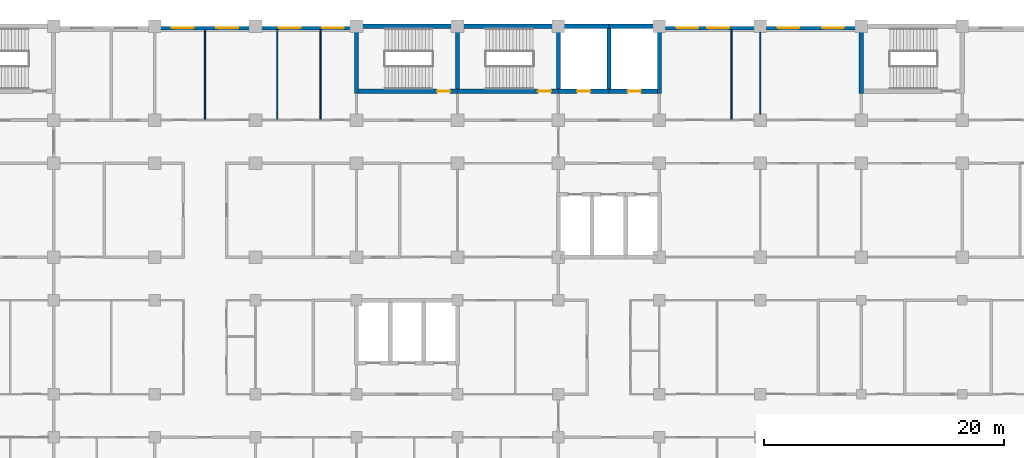
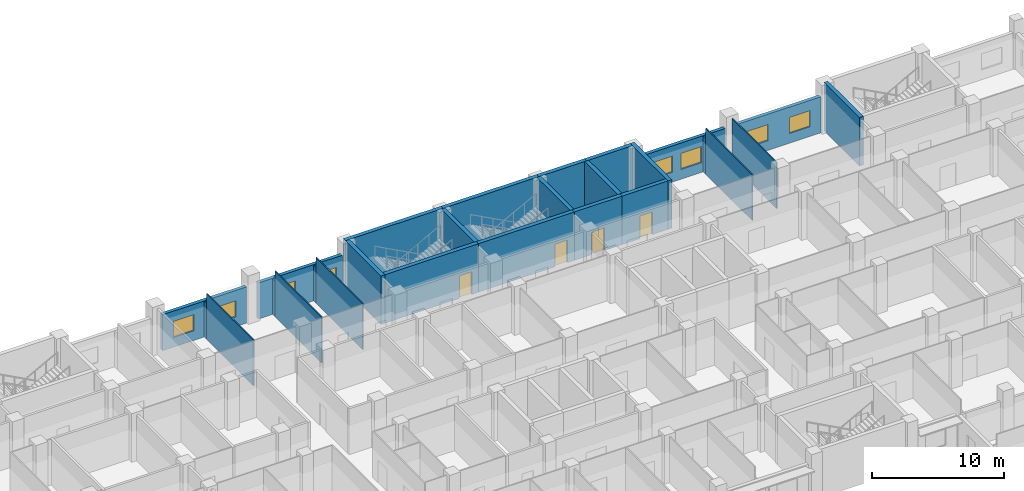
# One storey, part 91 of 136: 27 walls, 8 windows, 4 doors, 12 openings.
"""IFC4 building model written with IfcOpenShell, lengths in metres."""

from ifc_helpers import new_model, si_unit, direction, frame, frame_2d, origin, place, context, subcontext, project, spatial, rectangle, extrude, material, layer, layer_set, type_object, element, fill, save


model = new_model("IFC4")

# Units and contexts
model_context = context("Model", 3, precision=1e-05, world=origin(), true_north=direction((0.0, 1.0)))
body_context = subcontext(model_context, "Body", "Model", "MODEL_VIEW")
ifc_project = project(units=[si_unit("LENGTHUNIT", "METRE"), si_unit("AREAUNIT", "SQUARE_METRE"), si_unit("VOLUMEUNIT", "CUBIC_METRE"), si_unit("PLANEANGLEUNIT", "RADIAN"), si_unit("MASSUNIT", "GRAM", prefix="KILO")], contexts=[model_context])

# Site, building, storey
site_placement = place(None, origin())
site = spatial("IfcSite", under=ifc_project, at=site_placement, CompositionType="ELEMENT")
building_placement = place(site_placement, origin())
building = spatial("IfcBuilding", under=site, at=building_placement, Name="Bougainvillea Quay General Hospital", CompositionType="ELEMENT")
storey_placement = place(building_placement, frame((0.0, 0.0, 5.39990234375)))
storey = spatial("IfcBuildingStorey", under=building, at=storey_placement, Name="L01", CompositionType="ELEMENT", Elevation=5.39990234375)

# Wall, openings, windows
ifc_material_1 = material(Name="Pale stone rainscreen cladding on insulated masonry backing, pale stone", Category="masonry")
ifc_layer_1 = layer(ifc_material_1, 0.300048828125)
ifc_layer_set_1 = layer_set([ifc_layer_1], Name="Pale stone rainscreen cladding on insulated masonry backing, pale stone")
wall_type_1 = type_object("IfcWallType", Name="External wall pale stone rainscreen 300", PredefinedType="STANDARD", material=ifc_layer_set_1)
wall_1_placement = place(storey_placement, frame((175.89990234375, 159.449951171875, 0.0), z_axis=(0.0, 0.0, 1.0), x_axis=(-1.0, 0.0, 0.0)))
wall_1 = element("IfcWall", 1, at=wall_1_placement, inside=storey, type_object=wall_type_1, Name="External wall wall/V4/L01/p0/01b", PredefinedType="STANDARD", context=body_context, shape_type="SweptSolid", body=[
    extrude(rectangle(XDim=7.39990234375, YDim=0.300048828125, at=frame_2d((3.699951171875, 0.0))), origin(), (0.0, 0.0, 1.0), 3.35009765625),
])
opening_1_placement = place(wall_1_placement, frame((0.949951171875, 0.0, 0.89990234375)))
opening_1 = element("IfcOpeningElement", 2, at=opening_1_placement, cuts=wall_1, Name="Opening W1", PredefinedType="OPENING", context=body_context, shape_type="SweptSolid", body=[
    extrude(rectangle(XDim=1.800048828125, YDim=1.5, at=frame_2d((0.89990234375, 0.75))), frame((0.0, 0.159912109375, 0.0), z_axis=(0.0, -1.0, 0.0), x_axis=(1.0, 0.0, 0.0)), (0.0, 0.0, 1.0), 0.320068359375),
])
opening_2_placement = place(wall_1_placement, frame((4.64990234375, 0.0, 0.89990234375)))
opening_2 = element("IfcOpeningElement", 3, at=opening_2_placement, cuts=wall_1, Name="Opening W1", PredefinedType="OPENING", context=body_context, shape_type="SweptSolid", body=[
    extrude(rectangle(XDim=1.800048828125, YDim=1.5, at=frame_2d((0.89990234375, 0.75))), frame((0.0, 0.159912109375, 0.0), z_axis=(0.0, -1.0, 0.0), x_axis=(1.0, 0.0, 0.0)), (0.0, 0.0, 1.0), 0.320068359375),
])
ifc_material_2 = material(Name="Aluminium window frame with low-e double glazed unit", Category="aluminium")
window_type = type_object("IfcWindowType", Name="Window W1 1800x1500", PartitioningType="DOUBLE_PANEL_VERTICAL", PredefinedType="WINDOW", material=ifc_material_2)
window_1_placement = place(opening_1_placement, origin())
window_1 = element("IfcWindow", 4, at=window_1_placement, inside=storey, type_object=window_type, Name="Window W1 1", OverallHeight=1.5, OverallWidth=1.800048828125, PartitioningType="SINGLE_PANEL", PredefinedType="WINDOW", context=body_context, shape_type="SweptSolid", body=[
    extrude(rectangle(XDim=1.800048828125, YDim=1.5, at=frame_2d((0.89990234375, 0.75))), frame((0.0, 0.030029296875, 0.0), z_axis=(0.0, -1.0, 0.0), x_axis=(1.0, 0.0, 0.0)), (0.0, 0.0, 1.0), 0.06005859375),
])
fill(opening_1, window_1)
window_2_placement = place(opening_2_placement, origin())
window_2 = element("IfcWindow", 5, at=window_2_placement, inside=storey, type_object=window_type, Name="Window W1 2", OverallHeight=1.5, OverallWidth=1.800048828125, PartitioningType="SINGLE_PANEL", PredefinedType="WINDOW", context=body_context, shape_type="SweptSolid", body=[
    extrude(rectangle(XDim=1.800048828125, YDim=1.5, at=frame_2d((0.89990234375, 0.75))), frame((0.0, 0.030029296875, 0.0), z_axis=(0.0, -1.0, 0.0), x_axis=(1.0, 0.0, 0.0)), (0.0, 0.0, 1.0), 0.06005859375),
])
fill(opening_2, window_2)

wall_2_placement = place(storey_placement, frame((167.5, 159.449951171875, 0.0), z_axis=(0.0, 0.0, 1.0), x_axis=(-1.0, 0.0, 0.0)))
wall_2 = element("IfcWall", 6, at=wall_2_placement, inside=storey, type_object=wall_type_1, Name="External wall wall/V4/L01/p0/01c", PredefinedType="STANDARD", context=body_context, shape_type="SweptSolid", body=[
    extrude(rectangle(XDim=7.39990234375, YDim=0.300048828125, at=frame_2d((3.699951171875, 0.0))), origin(), (0.0, 0.0, 1.0), 3.35009765625),
])
opening_3_placement = place(wall_2_placement, frame((2.10009765625, 0.0, 0.89990234375)))
opening_3 = element("IfcOpeningElement", 7, at=opening_3_placement, cuts=wall_2, Name="Opening W1", PredefinedType="OPENING", context=body_context, shape_type="SweptSolid", body=[
    extrude(rectangle(XDim=1.800048828125, YDim=1.5, at=frame_2d((0.89990234375, 0.75))), frame((0.0, 0.159912109375, 0.0), z_axis=(0.0, -1.0, 0.0), x_axis=(1.0, 0.0, 0.0)), (0.0, 0.0, 1.0), 0.320068359375),
])
opening_4_placement = place(wall_2_placement, frame((4.64990234375, 0.0, 0.89990234375)))
opening_4 = element("IfcOpeningElement", 8, at=opening_4_placement, cuts=wall_2, Name="Opening W1", PredefinedType="OPENING", context=body_context, shape_type="SweptSolid", body=[
    extrude(rectangle(XDim=1.800048828125, YDim=1.5, at=frame_2d((0.89990234375, 0.75))), frame((0.0, 0.159912109375, 0.0), z_axis=(0.0, -1.0, 0.0), x_axis=(1.0, 0.0, 0.0)), (0.0, 0.0, 1.0), 0.320068359375),
])
window_3_placement = place(opening_3_placement, origin())
window_3 = element("IfcWindow", 9, at=window_3_placement, inside=storey, type_object=window_type, Name="Window W1 1", OverallHeight=1.5, OverallWidth=1.800048828125, PartitioningType="SINGLE_PANEL", PredefinedType="WINDOW", context=body_context, shape_type="SweptSolid", body=[
    extrude(rectangle(XDim=1.800048828125, YDim=1.5, at=frame_2d((0.89990234375, 0.75))), frame((0.0, 0.030029296875, 0.0), z_axis=(0.0, -1.0, 0.0), x_axis=(1.0, 0.0, 0.0)), (0.0, 0.0, 1.0), 0.06005859375),
])
fill(opening_3, window_3)
window_4_placement = place(opening_4_placement, origin())
window_4 = element("IfcWindow", 10, at=window_4_placement, inside=storey, type_object=window_type, Name="Window W1 2", OverallHeight=1.5, OverallWidth=1.800048828125, PartitioningType="SINGLE_PANEL", PredefinedType="WINDOW", context=body_context, shape_type="SweptSolid", body=[
    extrude(rectangle(XDim=1.800048828125, YDim=1.5, at=frame_2d((0.89990234375, 0.75))), frame((0.0, 0.030029296875, 0.0), z_axis=(0.0, -1.0, 0.0), x_axis=(1.0, 0.0, 0.0)), (0.0, 0.0, 1.0), 0.06005859375),
])
fill(opening_4, window_4)

wall_3_placement = place(storey_placement, frame((133.89990234375, 159.449951171875, 0.0), z_axis=(0.0, 0.0, 1.0), x_axis=(-1.0, 0.0, 0.0)))
wall_3 = element("IfcWall", 11, at=wall_3_placement, inside=storey, type_object=wall_type_1, Name="External wall wall/V4/L01/p0/05a", PredefinedType="STANDARD", context=body_context, shape_type="SweptSolid", body=[
    extrude(rectangle(XDim=7.39990234375, YDim=0.300048828125, at=frame_2d((3.699951171875, 0.0))), origin(), (0.0, 0.0, 1.0), 3.35009765625),
])
opening_5_placement = place(wall_3_placement, frame((0.550048828125, 0.0, 0.89990234375)))
opening_5 = element("IfcOpeningElement", 12, at=opening_5_placement, cuts=wall_3, Name="Opening W1", PredefinedType="OPENING", context=body_context, shape_type="SweptSolid", body=[
    extrude(rectangle(XDim=1.800048828125, YDim=1.5, at=frame_2d((0.89990234375, 0.75))), frame((0.0, 0.159912109375, 0.0), z_axis=(0.0, -1.0, 0.0), x_axis=(1.0, 0.0, 0.0)), (0.0, 0.0, 1.0), 0.320068359375),
])
opening_6_placement = place(wall_3_placement, frame((4.14990234375, 0.0, 0.89990234375)))
opening_6 = element("IfcOpeningElement", 13, at=opening_6_placement, cuts=wall_3, Name="Opening W1", PredefinedType="OPENING", context=body_context, shape_type="SweptSolid", body=[
    extrude(rectangle(XDim=1.800048828125, YDim=1.5, at=frame_2d((0.89990234375, 0.75))), frame((0.0, 0.159912109375, 0.0), z_axis=(0.0, -1.0, 0.0), x_axis=(1.0, 0.0, 0.0)), (0.0, 0.0, 1.0), 0.320068359375),
])
window_5_placement = place(opening_5_placement, origin())
window_5 = element("IfcWindow", 14, at=window_5_placement, inside=storey, type_object=window_type, Name="Window W1 1", OverallHeight=1.5, OverallWidth=1.800048828125, PartitioningType="SINGLE_PANEL", PredefinedType="WINDOW", context=body_context, shape_type="SweptSolid", body=[
    extrude(rectangle(XDim=1.800048828125, YDim=1.5, at=frame_2d((0.89990234375, 0.75))), frame((0.0, 0.030029296875, 0.0), z_axis=(0.0, -1.0, 0.0), x_axis=(1.0, 0.0, 0.0)), (0.0, 0.0, 1.0), 0.06005859375),
])
fill(opening_5, window_5)
window_6_placement = place(opening_6_placement, origin())
window_6 = element("IfcWindow", 15, at=window_6_placement, inside=storey, type_object=window_type, Name="Window W1 2", OverallHeight=1.5, OverallWidth=1.800048828125, PartitioningType="SINGLE_PANEL", PredefinedType="WINDOW", context=body_context, shape_type="SweptSolid", body=[
    extrude(rectangle(XDim=1.800048828125, YDim=1.5, at=frame_2d((0.89990234375, 0.75))), frame((0.0, 0.030029296875, 0.0), z_axis=(0.0, -1.0, 0.0), x_axis=(1.0, 0.0, 0.0)), (0.0, 0.0, 1.0), 0.06005859375),
])
fill(opening_6, window_6)

wall_4_placement = place(storey_placement, frame((125.5, 159.449951171875, 0.0), z_axis=(0.0, 0.0, 1.0), x_axis=(-1.0, 0.0, 0.0)))
wall_4 = element("IfcWall", 16, at=wall_4_placement, inside=storey, type_object=wall_type_1, Name="External wall wall/V4/L01/p0/05b", PredefinedType="STANDARD", context=body_context, shape_type="SweptSolid", body=[
    extrude(rectangle(XDim=7.39990234375, YDim=0.300048828125, at=frame_2d((3.699951171875, 0.0))), origin(), (0.0, 0.0, 1.0), 3.35009765625),
])
opening_7_placement = place(wall_4_placement, frame((0.949951171875, 0.0, 0.89990234375)))
opening_7 = element("IfcOpeningElement", 17, at=opening_7_placement, cuts=wall_4, Name="Opening W1", PredefinedType="OPENING", context=body_context, shape_type="SweptSolid", body=[
    extrude(rectangle(XDim=1.800048828125, YDim=1.5, at=frame_2d((0.89990234375, 0.75))), frame((0.0, 0.159912109375, 0.0), z_axis=(0.0, -1.0, 0.0), x_axis=(1.0, 0.0, 0.0)), (0.0, 0.0, 1.0), 0.320068359375),
])
opening_8_placement = place(wall_4_placement, frame((4.64990234375, 0.0, 0.89990234375)))
opening_8 = element("IfcOpeningElement", 18, at=opening_8_placement, cuts=wall_4, Name="Opening W1", PredefinedType="OPENING", context=body_context, shape_type="SweptSolid", body=[
    extrude(rectangle(XDim=1.800048828125, YDim=1.5, at=frame_2d((0.89990234375, 0.75))), frame((0.0, 0.159912109375, 0.0), z_axis=(0.0, -1.0, 0.0), x_axis=(1.0, 0.0, 0.0)), (0.0, 0.0, 1.0), 0.320068359375),
])
window_7_placement = place(opening_7_placement, origin())
window_7 = element("IfcWindow", 19, at=window_7_placement, inside=storey, type_object=window_type, Name="Window W1 1", OverallHeight=1.5, OverallWidth=1.800048828125, PartitioningType="SINGLE_PANEL", PredefinedType="WINDOW", context=body_context, shape_type="SweptSolid", body=[
    extrude(rectangle(XDim=1.800048828125, YDim=1.5, at=frame_2d((0.89990234375, 0.75))), frame((0.0, 0.030029296875, 0.0), z_axis=(0.0, -1.0, 0.0), x_axis=(1.0, 0.0, 0.0)), (0.0, 0.0, 1.0), 0.06005859375),
])
fill(opening_7, window_7)
window_8_placement = place(opening_8_placement, origin())
window_8 = element("IfcWindow", 20, at=window_8_placement, inside=storey, type_object=window_type, Name="Window W1 2", OverallHeight=1.5, OverallWidth=1.800048828125, PartitioningType="SINGLE_PANEL", PredefinedType="WINDOW", context=body_context, shape_type="SweptSolid", body=[
    extrude(rectangle(XDim=1.800048828125, YDim=1.5, at=frame_2d((0.89990234375, 0.75))), frame((0.0, 0.030029296875, 0.0), z_axis=(0.0, -1.0, 0.0), x_axis=(1.0, 0.0, 0.0)), (0.0, 0.0, 1.0), 0.06005859375),
])
fill(opening_8, window_8)

# Walls
ifc_material_3 = material(Name="Gypsum board partition on steel studs", Category="steel")
ifc_layer_2 = layer(ifc_material_3, 0.10009765625)
ifc_layer_set_2 = layer_set([ifc_layer_2], Name="Gypsum board partition on steel studs")
wall_type_2 = type_object("IfcWallType", Name="Partition 100 Gypsum board partition", PredefinedType="PARTITIONING", material=ifc_layer_set_2)
wall_5_placement = place(storey_placement, frame((121.800048828125, 151.85009765625, 0.0), z_axis=(0.0, 0.0, 1.0), x_axis=(0.0, 1.0, 0.0)))
element("IfcWall", 21, at=wall_5_placement, inside=storey, type_object=wall_type_2, Name="Partition 100 mm", PredefinedType="PARTITIONING", context=body_context, shape_type="SweptSolid", body=[
    extrude(rectangle(XDim=7.099853515625, YDim=0.10009765625, at=frame_2d((3.5498046875, 0.0))), origin(), (0.0, 0.0, 1.0), 4.25),
])
wall_6_placement = place(storey_placement, frame((121.800048828125, 158.949951171875, 0.0), z_axis=(0.0, 0.0, 1.0), x_axis=(0.0, 1.0, 0.0)))
element("IfcWall", 22, at=wall_6_placement, inside=storey, type_object=wall_type_2, Name="Partition 100 mm", PredefinedType="PARTITIONING", context=body_context, shape_type="SweptSolid", body=[
    extrude(rectangle(XDim=0.35009765625, YDim=0.10009765625, at=frame_2d((0.175048828125, 0.0))), origin(), (0.0, 0.0, 1.0), 3.330078125),
])
wall_7_placement = place(storey_placement, frame((127.800048828125, 151.85009765625, 0.0), z_axis=(0.0, 0.0, 1.0), x_axis=(0.0, 1.0, 0.0)))
element("IfcWall", 23, at=wall_7_placement, inside=storey, type_object=wall_type_2, Name="Partition 100 mm", PredefinedType="PARTITIONING", context=body_context, shape_type="SweptSolid", body=[
    extrude(rectangle(XDim=7.099853515625, YDim=0.10009765625, at=frame_2d((3.5498046875, 0.0))), origin(), (0.0, 0.0, 1.0), 4.25),
])
wall_8_placement = place(storey_placement, frame((127.800048828125, 158.949951171875, 0.0), z_axis=(0.0, 0.0, 1.0), x_axis=(0.0, 1.0, 0.0)))
element("IfcWall", 24, at=wall_8_placement, inside=storey, type_object=wall_type_2, Name="Partition 100 mm", PredefinedType="PARTITIONING", context=body_context, shape_type="SweptSolid", body=[
    extrude(rectangle(XDim=0.35009765625, YDim=0.10009765625, at=frame_2d((0.175048828125, 0.0))), origin(), (0.0, 0.0, 1.0), 3.330078125),
])
wall_9_placement = place(storey_placement, frame((131.39990234375, 151.85009765625, 0.0), z_axis=(0.0, 0.0, 1.0), x_axis=(0.0, 1.0, 0.0)))
element("IfcWall", 25, at=wall_9_placement, inside=storey, type_object=wall_type_2, Name="Partition 100 mm", PredefinedType="PARTITIONING", context=body_context, shape_type="SweptSolid", body=[
    extrude(rectangle(XDim=7.099853515625, YDim=0.10009765625, at=frame_2d((3.5498046875, 0.0))), origin(), (0.0, 0.0, 1.0), 4.25),
])
wall_10_placement = place(storey_placement, frame((131.39990234375, 158.949951171875, 0.0), z_axis=(0.0, 0.0, 1.0), x_axis=(0.0, 1.0, 0.0)))
element("IfcWall", 26, at=wall_10_placement, inside=storey, type_object=wall_type_2, Name="Partition 100 mm", PredefinedType="PARTITIONING", context=body_context, shape_type="SweptSolid", body=[
    extrude(rectangle(XDim=0.35009765625, YDim=0.10009765625, at=frame_2d((0.175048828125, 0.0))), origin(), (0.0, 0.0, 1.0), 3.330078125),
])
wall_11_placement = place(storey_placement, frame((165.597900390625, 151.85009765625, 0.0), z_axis=(0.0, 0.0, 1.0), x_axis=(0.0, 1.0, 0.0)))
element("IfcWall", 27, at=wall_11_placement, inside=storey, type_object=wall_type_2, Name="Partition 100 mm", PredefinedType="PARTITIONING", context=body_context, shape_type="SweptSolid", body=[
    extrude(rectangle(XDim=7.099853515625, YDim=0.10009765625, at=frame_2d((3.5498046875, 0.0))), origin(), (0.0, 0.0, 1.0), 4.25),
])
wall_12_placement = place(storey_placement, frame((165.597900390625, 158.949951171875, 0.0), z_axis=(0.0, 0.0, 1.0), x_axis=(0.0, 1.0, 0.0)))
element("IfcWall", 28, at=wall_12_placement, inside=storey, type_object=wall_type_2, Name="Partition 100 mm", PredefinedType="PARTITIONING", context=body_context, shape_type="SweptSolid", body=[
    extrude(rectangle(XDim=0.35009765625, YDim=0.10009765625, at=frame_2d((0.175048828125, 0.0))), origin(), (0.0, 0.0, 1.0), 3.330078125),
])
wall_13_placement = place(storey_placement, frame((167.998046875, 152.300048828125, 0.0), z_axis=(0.0, 0.0, 1.0), x_axis=(0.0, 1.0, 0.0)))
element("IfcWall", 29, at=wall_13_placement, inside=storey, type_object=wall_type_2, Name="Partition 100 mm", PredefinedType="PARTITIONING", context=body_context, shape_type="SweptSolid", body=[
    extrude(rectangle(XDim=6.800048828125, YDim=0.10009765625, at=frame_2d((3.39990234375, 0.0))), origin(), (0.0, 0.0, 1.0), 4.25),
])
ifc_material_4 = material(Name="Concrete C40", Category="concrete")
ifc_layer_3 = layer(ifc_material_4, 0.35009765625)
ifc_layer_set_3 = layer_set([ifc_layer_3], Name="Concrete C40")
wall_type_3 = type_object("IfcWallType", Name="RC SHEAR WALL 350 C40", PredefinedType="SHEAR", material=ifc_layer_set_3)
wall_14_placement = place(storey_placement, frame((134.22509765625, 159.60009765625, 0.0), z_axis=(0.0, 0.0, 1.0), x_axis=(1.0, 0.0, 0.0)))
element("IfcWall", 30, at=wall_14_placement, inside=storey, type_object=wall_type_3, Name="Shear wall L01", PredefinedType="SHEAR", context=body_context, shape_type="SweptSolid", body=[
    extrude(rectangle(XDim=8.574951171875, YDim=0.35009765625, at=frame_2d((4.28759765625, 0.0))), origin(), (0.0, 0.0, 1.0), 4.5),
])
wall_15_placement = place(storey_placement, frame((134.39990234375, 154.02490234375, 0.0), z_axis=(0.0, 0.0, 1.0), x_axis=(0.0, 1.0, 0.0)))
element("IfcWall", 31, at=wall_15_placement, inside=storey, type_object=wall_type_3, Name="Shear wall L01", PredefinedType="SHEAR", context=body_context, shape_type="SweptSolid", body=[
    extrude(rectangle(XDim=5.400146484375, YDim=0.35009765625, at=frame_2d((2.7001953125, 0.0))), origin(), (0.0, 0.0, 1.0), 4.5),
])

# Wall, opening, door
wall_16_placement = place(storey_placement, frame((134.574951171875, 154.199951171875, 0.0), z_axis=(0.0, 0.0, 1.0), x_axis=(1.0, 0.0, 0.0)))
wall_16 = element("IfcWall", 32, at=wall_16_placement, inside=storey, type_object=wall_type_3, Name="Shear wall L01", PredefinedType="SHEAR", context=body_context, shape_type="SweptSolid", body=[
    extrude(rectangle(XDim=8.22509765625, YDim=0.35009765625, at=frame_2d((4.112548828125, 0.0))), origin(), (0.0, 0.0, 1.0), 4.5),
])
opening_9_placement = place(wall_16_placement, frame((6.52490234375, 0.0, 0.0)))
opening_9 = element("IfcOpeningElement", 33, at=opening_9_placement, cuts=wall_16, Name="Opening L01.021", PredefinedType="OPENING", context=body_context, shape_type="SweptSolid", body=[
    extrude(rectangle(XDim=1.10009765625, YDim=2.10009765625, at=frame_2d((0.550048828125, 1.050048828125))), frame((0.0, 0.18505859375, 0.0), z_axis=(0.0, -1.0, 0.0), x_axis=(1.0, 0.0, 0.0)), (0.0, 0.0, 1.0), 0.3701171875),
])
ifc_material_5 = material(Name="Steel fire door leaf in steel frame", Category="steel")
door_type_1 = type_object("IfcDoorType", Name="Steel single leaf door 1100x2100 FD60", OperationType="NOTDEFINED", PredefinedType="DOOR", material=ifc_material_5)
door_1_placement = place(opening_9_placement, origin())
door_1 = element("IfcDoor", 34, at=door_1_placement, inside=storey, type_object=door_type_1, Name="DT04 L01.021", OperationType="SINGLE_SWING_RIGHT", OverallHeight=2.10009765625, OverallWidth=1.10009765625, PredefinedType="DOOR", context=body_context, shape_type="SweptSolid", body=[
    extrude(rectangle(XDim=1.10009765625, YDim=2.10009765625, at=frame_2d((0.550048828125, 1.050048828125))), frame((0.0, 0.02490234375, 0.0), z_axis=(0.0, -1.0, 0.0), x_axis=(1.0, 0.0, 0.0)), (0.0, 0.0, 1.0), 0.050048828125),
])
fill(opening_9, door_1)

wall_17_placement = place(storey_placement, frame((142.800048828125, 154.199951171875, 0.0), z_axis=(0.0, 0.0, 1.0), x_axis=(1.0, 0.0, 0.0)))
wall_17 = element("IfcWall", 35, at=wall_17_placement, inside=storey, type_object=wall_type_3, Name="Shear wall L01", PredefinedType="SHEAR", context=body_context, shape_type="SweptSolid", body=[
    extrude(rectangle(XDim=8.39990234375, YDim=0.35009765625, at=frame_2d((4.199951171875, 0.0))), origin(), (0.0, 0.0, 1.0), 4.5),
])
opening_10_placement = place(wall_17_placement, frame((6.699951171875, 0.0, 0.0)))
opening_10 = element("IfcOpeningElement", 36, at=opening_10_placement, cuts=wall_17, Name="Opening L01.029", PredefinedType="OPENING", context=body_context, shape_type="SweptSolid", body=[
    extrude(rectangle(XDim=1.10009765625, YDim=2.10009765625, at=frame_2d((0.550048828125, 1.050048828125))), frame((0.0, 0.18505859375, 0.0), z_axis=(0.0, -1.0, 0.0), x_axis=(1.0, 0.0, 0.0)), (0.0, 0.0, 1.0), 0.3701171875),
])
door_2_placement = place(opening_10_placement, origin())
door_2 = element("IfcDoor", 37, at=door_2_placement, inside=storey, type_object=door_type_1, Name="DT04 L01.029", OperationType="SINGLE_SWING_RIGHT", OverallHeight=2.10009765625, OverallWidth=1.10009765625, PredefinedType="DOOR", context=body_context, shape_type="SweptSolid", body=[
    extrude(rectangle(XDim=1.10009765625, YDim=2.10009765625, at=frame_2d((0.550048828125, 1.050048828125))), frame((0.0, 0.02490234375, 0.0), z_axis=(0.0, -1.0, 0.0), x_axis=(1.0, 0.0, 0.0)), (0.0, 0.0, 1.0), 0.050048828125),
])
fill(opening_10, door_2)

# Walls
wall_18_placement = place(storey_placement, frame((142.800048828125, 154.375, 0.0), z_axis=(0.0, 0.0, 1.0), x_axis=(0.0, 1.0, 0.0)))
element("IfcWall", 38, at=wall_18_placement, inside=storey, type_object=wall_type_3, Name="Shear wall L01", PredefinedType="SHEAR", context=body_context, shape_type="SweptSolid", body=[
    extrude(rectangle(XDim=5.050048828125, YDim=0.35009765625, at=frame_2d((2.52490234375, 0.0))), origin(), (0.0, 0.0, 1.0), 4.5),
])
wall_19_placement = place(storey_placement, frame((142.800048828125, 159.60009765625, 0.0), z_axis=(0.0, 0.0, 1.0), x_axis=(1.0, 0.0, 0.0)))
element("IfcWall", 39, at=wall_19_placement, inside=storey, type_object=wall_type_3, Name="Shear wall L01", PredefinedType="SHEAR", context=body_context, shape_type="SweptSolid", body=[
    extrude(rectangle(XDim=8.39990234375, YDim=0.35009765625, at=frame_2d((4.199951171875, 0.0))), origin(), (0.0, 0.0, 1.0), 4.5),
])

# Wall, opening, door
wall_20_placement = place(storey_placement, frame((151.199951171875, 154.199951171875, 0.0), z_axis=(0.0, 0.0, 1.0), x_axis=(1.0, 0.0, 0.0)))
wall_20 = element("IfcWall", 40, at=wall_20_placement, inside=storey, type_object=wall_type_3, Name="Shear wall L01", PredefinedType="SHEAR", context=body_context, shape_type="SweptSolid", body=[
    extrude(rectangle(XDim=4.199951171875, YDim=0.35009765625, at=frame_2d((2.10009765625, 0.0))), origin(), (0.0, 0.0, 1.0), 4.5),
])
opening_11_placement = place(wall_20_placement, frame((1.550048828125, 0.0, 0.0)))
opening_11 = element("IfcOpeningElement", 41, at=opening_11_placement, cuts=wall_20, Name="Opening LD-S1.1-L01", PredefinedType="OPENING", context=body_context, shape_type="SweptSolid", body=[
    extrude(rectangle(XDim=1.10009765625, YDim=2.10009765625, at=frame_2d((0.550048828125, 1.050048828125))), frame((0.0, 0.18505859375, 0.0), z_axis=(0.0, -1.0, 0.0), x_axis=(1.0, 0.0, 0.0)), (0.0, 0.0, 1.0), 0.3701171875),
])
ifc_material_6 = material(Name="Stainless steel centre-opening landing door", Category="steel")
door_type_2 = type_object("IfcDoorType", Name="Lift landing door 1100x2100 E 120", OperationType="DOUBLE_DOOR_SLIDING", PredefinedType="DOOR", material=ifc_material_6)
door_3_placement = place(opening_11_placement, origin())
door_3 = element("IfcDoor", 42, at=door_3_placement, inside=storey, type_object=door_type_2, Name="Lift landing door LB-S1-1 L01", OperationType="DOUBLE_DOOR_SLIDING", OverallHeight=2.10009765625, OverallWidth=1.10009765625, PredefinedType="DOOR", context=body_context, shape_type="SweptSolid", body=[
    extrude(rectangle(XDim=1.10009765625, YDim=2.10009765625, at=frame_2d((0.550048828125, 1.050048828125))), frame((0.0, 0.02490234375, 0.0), z_axis=(0.0, -1.0, 0.0), x_axis=(1.0, 0.0, 0.0)), (0.0, 0.0, 1.0), 0.050048828125),
])
fill(opening_11, door_3)

# Walls
wall_21_placement = place(storey_placement, frame((151.199951171875, 154.375, 0.0), z_axis=(0.0, 0.0, 1.0), x_axis=(0.0, 1.0, 0.0)))
element("IfcWall", 43, at=wall_21_placement, inside=storey, type_object=wall_type_3, Name="Shear wall L01", PredefinedType="SHEAR", context=body_context, shape_type="SweptSolid", body=[
    extrude(rectangle(XDim=5.050048828125, YDim=0.35009765625, at=frame_2d((2.52490234375, 0.0))), origin(), (0.0, 0.0, 1.0), 4.5),
])
wall_22_placement = place(storey_placement, frame((151.199951171875, 159.60009765625, 0.0), z_axis=(0.0, 0.0, 1.0), x_axis=(1.0, 0.0, 0.0)))
element("IfcWall", 44, at=wall_22_placement, inside=storey, type_object=wall_type_3, Name="Shear wall L01", PredefinedType="SHEAR", context=body_context, shape_type="SweptSolid", body=[
    extrude(rectangle(XDim=4.199951171875, YDim=0.35009765625, at=frame_2d((2.10009765625, 0.0))), origin(), (0.0, 0.0, 1.0), 4.5),
])

# Wall, opening, door
wall_23_placement = place(storey_placement, frame((155.39990234375, 154.199951171875, 0.0), z_axis=(0.0, 0.0, 1.0), x_axis=(1.0, 0.0, 0.0)))
wall_23 = element("IfcWall", 45, at=wall_23_placement, inside=storey, type_object=wall_type_3, Name="Shear wall L01", PredefinedType="SHEAR", context=body_context, shape_type="SweptSolid", body=[
    extrude(rectangle(XDim=4.025146484375, YDim=0.35009765625, at=frame_2d((2.0126953125, 0.0))), origin(), (0.0, 0.0, 1.0), 4.5),
])
opening_12_placement = place(wall_23_placement, frame((1.550048828125, 0.0, 0.0)))
opening_12 = element("IfcOpeningElement", 46, at=opening_12_placement, cuts=wall_23, Name="Opening LD-S1.2-L01", PredefinedType="OPENING", context=body_context, shape_type="SweptSolid", body=[
    extrude(rectangle(XDim=1.10009765625, YDim=2.10009765625, at=frame_2d((0.550048828125, 1.050048828125))), frame((0.0, 0.18505859375, 0.0), z_axis=(0.0, -1.0, 0.0), x_axis=(1.0, 0.0, 0.0)), (0.0, 0.0, 1.0), 0.3701171875),
])
door_4_placement = place(opening_12_placement, origin())
door_4 = element("IfcDoor", 47, at=door_4_placement, inside=storey, type_object=door_type_2, Name="Lift landing door LB-S1-2 L01", OperationType="DOUBLE_DOOR_SLIDING", OverallHeight=2.10009765625, OverallWidth=1.10009765625, PredefinedType="DOOR", context=body_context, shape_type="SweptSolid", body=[
    extrude(rectangle(XDim=1.10009765625, YDim=2.10009765625, at=frame_2d((0.550048828125, 1.050048828125))), frame((0.0, 0.02490234375, 0.0), z_axis=(0.0, -1.0, 0.0), x_axis=(1.0, 0.0, 0.0)), (0.0, 0.0, 1.0), 0.050048828125),
])
fill(opening_12, door_4)

# Walls
wall_24_placement = place(storey_placement, frame((155.39990234375, 154.375, 0.0), z_axis=(0.0, 0.0, 1.0), x_axis=(0.0, 1.0, 0.0)))
element("IfcWall", 48, at=wall_24_placement, inside=storey, type_object=wall_type_3, Name="Shear wall L01", PredefinedType="SHEAR", context=body_context, shape_type="SweptSolid", body=[
    extrude(rectangle(XDim=5.050048828125, YDim=0.35009765625, at=frame_2d((2.52490234375, 0.0))), origin(), (0.0, 0.0, 1.0), 4.5),
])
wall_25_placement = place(storey_placement, frame((155.39990234375, 159.60009765625, 0.0), z_axis=(0.0, 0.0, 1.0), x_axis=(1.0, 0.0, 0.0)))
element("IfcWall", 49, at=wall_25_placement, inside=storey, type_object=wall_type_3, Name="Shear wall L01", PredefinedType="SHEAR", context=body_context, shape_type="SweptSolid", body=[
    extrude(rectangle(XDim=4.025146484375, YDim=0.35009765625, at=frame_2d((2.0126953125, 0.0))), origin(), (0.0, 0.0, 1.0), 4.5),
])
wall_26_placement = place(storey_placement, frame((159.60009765625, 154.02490234375, 0.0), z_axis=(0.0, 0.0, 1.0), x_axis=(0.0, 1.0, 0.0)))
element("IfcWall", 50, at=wall_26_placement, inside=storey, type_object=wall_type_3, Name="Shear wall L01", PredefinedType="SHEAR", context=body_context, shape_type="SweptSolid", body=[
    extrude(rectangle(XDim=5.75, YDim=0.35009765625, at=frame_2d((2.875, 0.0))), origin(), (0.0, 0.0, 1.0), 4.5),
])
wall_27_placement = place(storey_placement, frame((176.39990234375, 154.02490234375, 0.0), z_axis=(0.0, 0.0, 1.0), x_axis=(0.0, 1.0, 0.0)))
element("IfcWall", 51, at=wall_27_placement, inside=storey, type_object=wall_type_3, Name="Shear wall L01", PredefinedType="SHEAR", context=body_context, shape_type="SweptSolid", body=[
    extrude(rectangle(XDim=5.400146484375, YDim=0.35009765625, at=frame_2d((2.7001953125, 0.0))), origin(), (0.0, 0.0, 1.0), 4.5),
])

save(model, "model.ifc")
